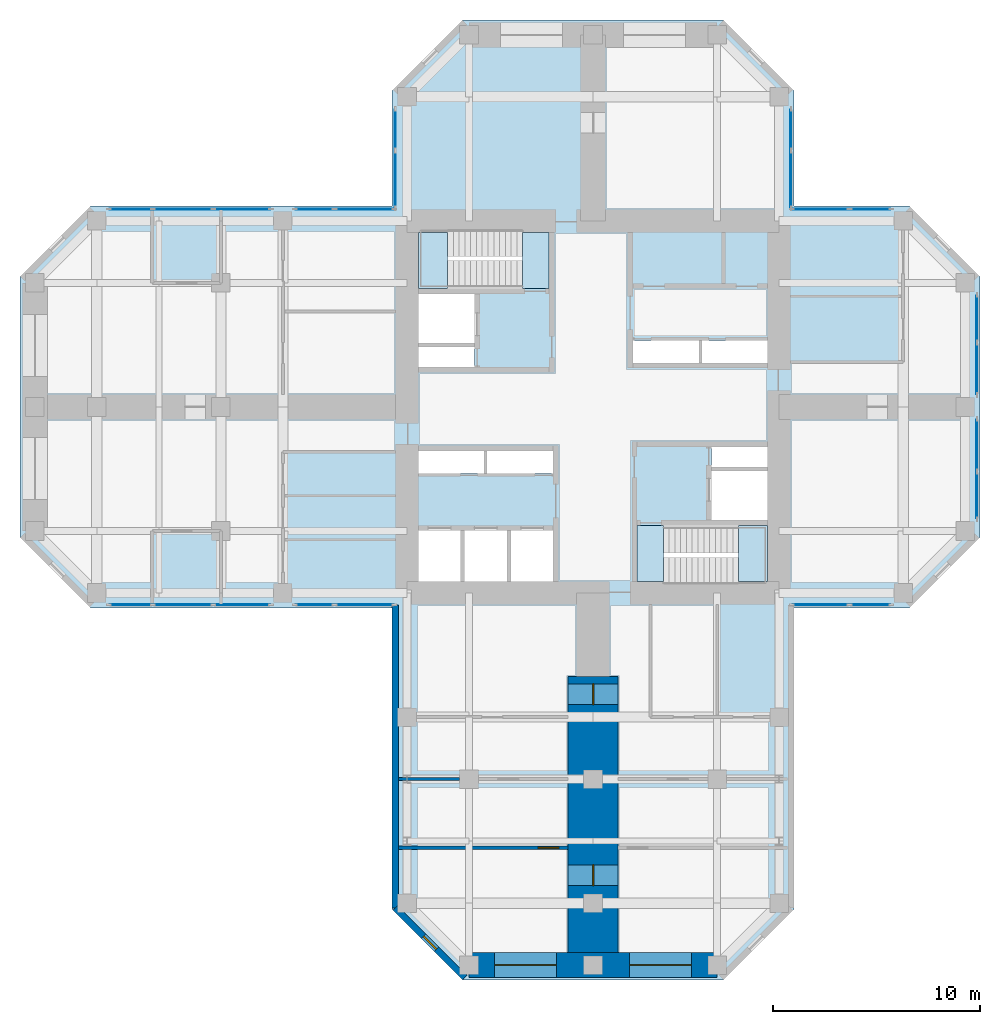
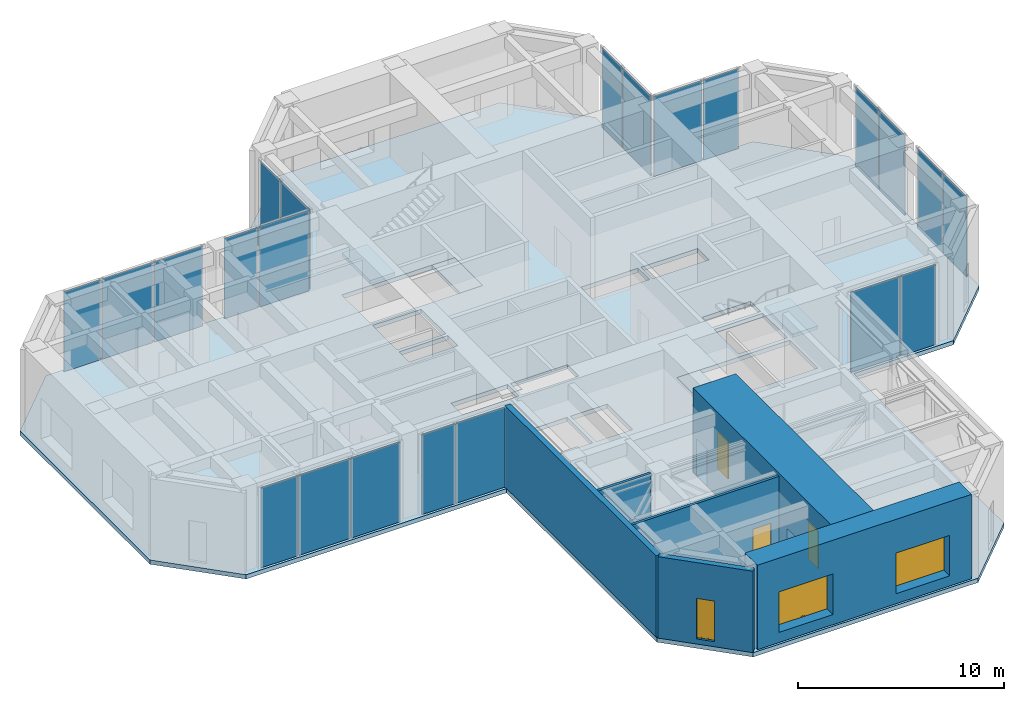
# One storey, part 5 of 10: 22 plates, 6 walls, 5 slabs, 3 doors, 3 windows, 6 openings, 9 elements without a shape of their own.
"""IFC4 building model written with IfcOpenShell, lengths in metres."""

from ifc_helpers import new_model, si_unit, direction, frame, frame_2d, origin, origin_2d, place, context, subcontext, project, spatial, polyline, rectangle, hollow_rectangle, outline, extrude, material, layer, layer_set, constituent, constituent_set, type_object, element, fill, aggregate, save


model = new_model("IFC4")

# Units and contexts
model_context = context("Model", 3, precision=1e-05, world=origin(), true_north=direction((0.0, 1.0)))
body_context = subcontext(model_context, "Body", "Model", "MODEL_VIEW")
ifc_project = project(units=[si_unit("LENGTHUNIT", "METRE"), si_unit("AREAUNIT", "SQUARE_METRE"), si_unit("VOLUMEUNIT", "CUBIC_METRE"), si_unit("PLANEANGLEUNIT", "RADIAN"), si_unit("MASSUNIT", "GRAM", prefix="KILO")], contexts=[model_context])

# Site, building, storey
site_placement = place(None, origin())
site = spatial("IfcSite", under=ifc_project, at=site_placement, CompositionType="ELEMENT")
building_placement = place(site_placement, origin())
building = spatial("IfcBuilding", under=site, at=building_placement, Name="Torre Cruceta", CompositionType="ELEMENT")
storey_placement = place(building_placement, frame((0.0, 0.0, 217.10009765625)))
storey = spatial("IfcBuildingStorey", under=building, at=storey_placement, Name="L55", CompositionType="ELEMENT", Elevation=217.10009765625)

# Curtain wall, plate
ifc_material_1 = material(Name="Aluminium unitised curtain wall", Category="aluminium")
curtain_wall_type = type_object("IfcCurtainWallType", Name="CURTAIN WALL CW-S SKY GARDEN", PredefinedType="USERDEFINED", material=ifc_material_1)
curtain_wall_1_placement = place(storey_placement, origin())
curtain_wall_1 = element("IfcCurtainWall", 1, at=curtain_wall_1_placement, inside=storey, type_object=curtain_wall_type, Name="CW-S L55 E side 00", ObjectType="UNITISED", PredefinedType="USERDEFINED")
ifc_material_2 = material(Name="Laminated insulating glass unit, low-iron clear", Category="glass")
ifc_material_3 = material(Name="Laminated insulating glass unit, low-iron clear", Category="glass")
ifc_layer_1 = layer(ifc_material_3, 0.0400390625)
ifc_layer_set_1 = layer_set([ifc_layer_1], Name="Laminated insulating glass unit, low-iron clear")
plate_type_1 = type_object("IfcPlateType", Name="CW-S OPERABLE VENT PANEL 40", PredefinedType="CURTAIN_PANEL", material=ifc_layer_set_1)
plate_1_placement = place(storey_placement, frame((13.41357421875, -9.570068359375, 0.010009765625), z_axis=(0.0, 0.0, 1.0), x_axis=(1.0, 0.0, 0.0)))
plate_1 = element("IfcPlate", 2, at=plate_1_placement, type_object=plate_type_1, material=ifc_material_2, Name="CW-S vent 2", PredefinedType="CURTAIN_PANEL", context=body_context, shape_type="SweptSolid", body=[
    extrude(rectangle(XDim=1.94091796875, YDim=0.0400390625, at=origin_2d()), origin(), (0.0, 0.0, 1.0), 4.72998046875),
])

curtain_wall_2_placement = place(storey_placement, origin())
curtain_wall_2 = element("IfcCurtainWall", 3, at=curtain_wall_2_placement, inside=storey, type_object=curtain_wall_type, Name="CW-S L55 E tip 02", ObjectType="UNITISED", PredefinedType="USERDEFINED")
plate_2_placement = place(storey_placement, frame((18.570068359375, -1.846923828125, 0.010009765625), z_axis=(0.0, 0.0, 1.0), x_axis=(0.0, 1.0, 0.0)))
plate_2 = element("IfcPlate", 4, at=plate_2_placement, type_object=plate_type_1, material=ifc_material_2, Name="CW-S vent 2", PredefinedType="CURTAIN_PANEL", context=body_context, shape_type="SweptSolid", body=[
    extrude(rectangle(XDim=2.462158203125, YDim=0.0400390625, at=origin_2d()), origin(), (0.0, 0.0, 1.0), 4.72998046875),
])

curtain_wall_3_placement = place(storey_placement, origin())
curtain_wall_3 = element("IfcCurtainWall", 5, at=curtain_wall_3_placement, inside=storey, type_object=curtain_wall_type, Name="CW-S L55 E side 04", ObjectType="UNITISED", PredefinedType="USERDEFINED")
plate_3_placement = place(storey_placement, frame((11.006591796875, 9.570068359375, 0.010009765625), z_axis=(0.0, 0.0, 1.0), x_axis=(-1.0, 0.0, 0.0)))
plate_3 = element("IfcPlate", 6, at=plate_3_placement, type_object=plate_type_1, material=ifc_material_2, Name="CW-S vent 2", PredefinedType="CURTAIN_PANEL", context=body_context, shape_type="SweptSolid", body=[
    extrude(rectangle(XDim=2.713134765625, YDim=0.0400390625, at=origin_2d()), origin(), (0.0, 0.0, 1.0), 4.72998046875),
])

curtain_wall_4_placement = place(storey_placement, origin())
curtain_wall_4 = element("IfcCurtainWall", 7, at=curtain_wall_4_placement, inside=storey, type_object=curtain_wall_type, Name="CW-S L55 N side 05", ObjectType="UNITISED", PredefinedType="USERDEFINED")
plate_4_placement = place(storey_placement, frame((9.570068359375, 13.41357421875, 0.010009765625), z_axis=(0.0, 0.0, 1.0), x_axis=(0.0, 1.0, 0.0)))
plate_4 = element("IfcPlate", 8, at=plate_4_placement, type_object=plate_type_1, material=ifc_material_2, Name="CW-S vent 2", PredefinedType="CURTAIN_PANEL", context=body_context, shape_type="SweptSolid", body=[
    extrude(rectangle(XDim=1.94091796875, YDim=0.0400390625, at=origin_2d()), origin(), (0.0, 0.0, 1.0), 4.72998046875),
])

curtain_wall_5_placement = place(storey_placement, origin())
curtain_wall_5 = element("IfcCurtainWall", 9, at=curtain_wall_5_placement, inside=storey, type_object=curtain_wall_type, Name="CW-S L55 N side 09", ObjectType="UNITISED", PredefinedType="USERDEFINED")
plate_5_placement = place(storey_placement, frame((-9.570068359375, 11.006591796875, 0.010009765625), z_axis=(0.0, 0.0, 1.0), x_axis=(0.0, -1.0, 0.0)))
plate_5 = element("IfcPlate", 10, at=plate_5_placement, type_object=plate_type_1, material=ifc_material_2, Name="CW-S vent 2", PredefinedType="CURTAIN_PANEL", context=body_context, shape_type="SweptSolid", body=[
    extrude(rectangle(XDim=2.713134765625, YDim=0.0400390625, at=origin_2d()), origin(), (0.0, 0.0, 1.0), 4.72998046875),
])

# Curtain wall, plates
curtain_wall_6_placement = place(storey_placement, origin())
curtain_wall_6 = element("IfcCurtainWall", 11, at=curtain_wall_6_placement, inside=storey, type_object=curtain_wall_type, Name="CW-S L55 W side 10", ObjectType="UNITISED", PredefinedType="USERDEFINED")
plate_6_placement = place(storey_placement, frame((-13.463623046875, 9.570068359375, 0.010009765625), z_axis=(0.0, 0.0, 1.0), x_axis=(-1.0, 0.0, 0.0)))
plate_6 = element("IfcPlate", 12, at=plate_6_placement, type_object=plate_type_1, material=ifc_material_2, Name="CW-S vent 2", PredefinedType="CURTAIN_PANEL", context=body_context, shape_type="SweptSolid", body=[
    extrude(rectangle(XDim=1.8408203125, YDim=0.0400390625, at=origin_2d()), origin(), (0.0, 0.0, 1.0), 4.72998046875),
])
plate_7_placement = place(storey_placement, frame((-22.363525390625, 9.570068359375, 0.010009765625), z_axis=(0.0, 0.0, 1.0), x_axis=(-1.0, 0.0, 0.0)))
plate_7 = element("IfcPlate", 13, at=plate_7_placement, type_object=plate_type_1, material=ifc_material_2, Name="CW-S vent 5", PredefinedType="CURTAIN_PANEL", context=body_context, shape_type="SweptSolid", body=[
    extrude(rectangle(XDim=2.041015625, YDim=0.0400390625, at=origin_2d()), origin(), (0.0, 0.0, 1.0), 4.72998046875),
])

curtain_wall_7_placement = place(storey_placement, origin())
curtain_wall_7 = element("IfcCurtainWall", 14, at=curtain_wall_7_placement, inside=storey, type_object=curtain_wall_type, Name="CW-S L55 W side 14", ObjectType="UNITISED", PredefinedType="USERDEFINED")
plate_8_placement = place(storey_placement, frame((-19.836181640625, -9.570068359375, 0.010009765625), z_axis=(0.0, 0.0, 1.0), x_axis=(1.0, 0.0, 0.0)))
plate_8 = element("IfcPlate", 15, at=plate_8_placement, type_object=plate_type_1, material=ifc_material_2, Name="CW-S vent 2", PredefinedType="CURTAIN_PANEL", context=body_context, shape_type="SweptSolid", body=[
    extrude(rectangle(XDim=2.853271484375, YDim=0.0400390625, at=origin_2d()), origin(), (0.0, 0.0, 1.0), 4.72998046875),
])
plate_9_placement = place(storey_placement, frame((-11.056640625, -9.570068359375, 0.010009765625), z_axis=(0.0, 0.0, 1.0), x_axis=(1.0, 0.0, 0.0)))
plate_9 = element("IfcPlate", 16, at=plate_9_placement, type_object=plate_type_1, material=ifc_material_2, Name="CW-S vent 5", PredefinedType="CURTAIN_PANEL", context=body_context, shape_type="SweptSolid", body=[
    extrude(rectangle(XDim=2.813232421875, YDim=0.0400390625, at=origin_2d()), origin(), (0.0, 0.0, 1.0), 4.72998046875),
])

# Plate
ifc_material_4 = material(Name="Laminated insulating glass unit, low-iron clear", Category="glass")
ifc_layer_2 = layer(ifc_material_4, 0.0400390625)
ifc_layer_set_2 = layer_set([ifc_layer_2], Name="Laminated insulating glass unit, low-iron clear")
plate_type_2 = type_object("IfcPlateType", Name="CW-S PANEL 40 CLEAR GLASS", PredefinedType="CURTAIN_PANEL", material=ifc_layer_set_2)
plate_10_placement = place(storey_placement, frame((11.006591796875, -9.570068359375, 0.010009765625), z_axis=(0.0, 0.0, 1.0), x_axis=(1.0, 0.0, 0.0)))
plate_10 = element("IfcPlate", 17, at=plate_10_placement, type_object=plate_type_2, material=ifc_material_2, Name="CW-S panel 1", PredefinedType="CURTAIN_PANEL", context=body_context, shape_type="SweptSolid", body=[
    extrude(rectangle(XDim=2.713134765625, YDim=0.0400390625, at=origin_2d()), origin(), (0.0, 0.0, 1.0), 4.72998046875),
])

aggregate(curtain_wall_1, [plate_10, plate_1])

plate_11_placement = place(storey_placement, frame((18.570068359375, -4.27099609375, 0.010009765625), z_axis=(0.0, 0.0, 1.0), x_axis=(0.0, 1.0, 0.0)))
plate_11 = element("IfcPlate", 18, at=plate_11_placement, type_object=plate_type_2, material=ifc_material_2, Name="CW-S panel 1", PredefinedType="CURTAIN_PANEL", context=body_context, shape_type="SweptSolid", body=[
    extrude(rectangle(XDim=2.225830078125, YDim=0.0400390625, at=origin_2d()), origin(), (0.0, 0.0, 1.0), 4.72998046875),
])

plate_12_placement = place(storey_placement, frame((18.570068359375, 1.846923828125, 0.010009765625), z_axis=(0.0, 0.0, 1.0), x_axis=(0.0, 1.0, 0.0)))
plate_12 = element("IfcPlate", 19, at=plate_12_placement, type_object=plate_type_2, material=ifc_material_2, Name="CW-S panel 3", PredefinedType="CURTAIN_PANEL", context=body_context, shape_type="SweptSolid", body=[
    extrude(rectangle(XDim=2.462158203125, YDim=0.0400390625, at=origin_2d()), origin(), (0.0, 0.0, 1.0), 4.72998046875),
])

plate_13_placement = place(storey_placement, frame((18.570068359375, 4.27099609375, 0.010009765625), z_axis=(0.0, 0.0, 1.0), x_axis=(0.0, 1.0, 0.0)))
plate_13 = element("IfcPlate", 20, at=plate_13_placement, type_object=plate_type_2, material=ifc_material_2, Name="CW-S panel 4", PredefinedType="CURTAIN_PANEL", context=body_context, shape_type="SweptSolid", body=[
    extrude(rectangle(XDim=2.225830078125, YDim=0.0400390625, at=origin_2d()), origin(), (0.0, 0.0, 1.0), 4.72998046875),
])

aggregate(curtain_wall_2, [plate_11, plate_2, plate_12, plate_13])

plate_14_placement = place(storey_placement, frame((13.41357421875, 9.570068359375, 0.010009765625), z_axis=(0.0, 0.0, 1.0), x_axis=(-1.0, 0.0, 0.0)))
plate_14 = element("IfcPlate", 21, at=plate_14_placement, type_object=plate_type_2, material=ifc_material_2, Name="CW-S panel 1", PredefinedType="CURTAIN_PANEL", context=body_context, shape_type="SweptSolid", body=[
    extrude(rectangle(XDim=1.94091796875, YDim=0.0400390625, at=origin_2d()), origin(), (0.0, 0.0, 1.0), 4.72998046875),
])

aggregate(curtain_wall_3, [plate_14, plate_3])

plate_15_placement = place(storey_placement, frame((9.570068359375, 11.006591796875, 0.010009765625), z_axis=(0.0, 0.0, 1.0), x_axis=(0.0, 1.0, 0.0)))
plate_15 = element("IfcPlate", 22, at=plate_15_placement, type_object=plate_type_2, material=ifc_material_2, Name="CW-S panel 1", PredefinedType="CURTAIN_PANEL", context=body_context, shape_type="SweptSolid", body=[
    extrude(rectangle(XDim=2.713134765625, YDim=0.0400390625, at=origin_2d()), origin(), (0.0, 0.0, 1.0), 4.72998046875),
])

aggregate(curtain_wall_4, [plate_15, plate_4])

plate_16_placement = place(storey_placement, frame((-9.570068359375, 13.41357421875, 0.010009765625), z_axis=(0.0, 0.0, 1.0), x_axis=(0.0, -1.0, 0.0)))
plate_16 = element("IfcPlate", 23, at=plate_16_placement, type_object=plate_type_2, material=ifc_material_2, Name="CW-S panel 1", PredefinedType="CURTAIN_PANEL", context=body_context, shape_type="SweptSolid", body=[
    extrude(rectangle(XDim=1.94091796875, YDim=0.0400390625, at=origin_2d()), origin(), (0.0, 0.0, 1.0), 4.72998046875),
])

aggregate(curtain_wall_5, [plate_16, plate_5])

plate_17_placement = place(storey_placement, frame((-11.056640625, 9.570068359375, 0.010009765625), z_axis=(0.0, 0.0, 1.0), x_axis=(-1.0, 0.0, 0.0)))
plate_17 = element("IfcPlate", 24, at=plate_17_placement, type_object=plate_type_2, material=ifc_material_2, Name="CW-S panel 1", PredefinedType="CURTAIN_PANEL", context=body_context, shape_type="SweptSolid", body=[
    extrude(rectangle(XDim=2.813232421875, YDim=0.0400390625, at=origin_2d()), origin(), (0.0, 0.0, 1.0), 4.72998046875),
])

plate_18_placement = place(storey_placement, frame((-16.972900390625, 9.570068359375, 0.010009765625), z_axis=(0.0, 0.0, 1.0), x_axis=(-1.0, 0.0, 0.0)))
plate_18 = element("IfcPlate", 25, at=plate_18_placement, type_object=plate_type_2, material=ifc_material_2, Name="CW-S panel 3", PredefinedType="CURTAIN_PANEL", context=body_context, shape_type="SweptSolid", body=[
    extrude(rectangle(XDim=2.713623046875, YDim=0.0400390625, at=origin_2d()), origin(), (0.0, 0.0, 1.0), 4.72998046875),
])

plate_19_placement = place(storey_placement, frame((-19.836181640625, 9.570068359375, 0.010009765625), z_axis=(0.0, 0.0, 1.0), x_axis=(-1.0, 0.0, 0.0)))
plate_19 = element("IfcPlate", 26, at=plate_19_placement, type_object=plate_type_2, material=ifc_material_2, Name="CW-S panel 4", PredefinedType="CURTAIN_PANEL", context=body_context, shape_type="SweptSolid", body=[
    extrude(rectangle(XDim=2.853271484375, YDim=0.0400390625, at=origin_2d()), origin(), (0.0, 0.0, 1.0), 4.72998046875),
])

aggregate(curtain_wall_6, [plate_17, plate_6, plate_18, plate_19, plate_7])

plate_20_placement = place(storey_placement, frame((-22.363525390625, -9.570068359375, 0.010009765625), z_axis=(0.0, 0.0, 1.0), x_axis=(1.0, 0.0, 0.0)))
plate_20 = element("IfcPlate", 27, at=plate_20_placement, type_object=plate_type_2, material=ifc_material_2, Name="CW-S panel 1", PredefinedType="CURTAIN_PANEL", context=body_context, shape_type="SweptSolid", body=[
    extrude(rectangle(XDim=2.041015625, YDim=0.0400390625, at=origin_2d()), origin(), (0.0, 0.0, 1.0), 4.72998046875),
])

plate_21_placement = place(storey_placement, frame((-16.972900390625, -9.570068359375, 0.010009765625), z_axis=(0.0, 0.0, 1.0), x_axis=(1.0, 0.0, 0.0)))
plate_21 = element("IfcPlate", 28, at=plate_21_placement, type_object=plate_type_2, material=ifc_material_2, Name="CW-S panel 3", PredefinedType="CURTAIN_PANEL", context=body_context, shape_type="SweptSolid", body=[
    extrude(rectangle(XDim=2.713623046875, YDim=0.0400390625, at=origin_2d()), origin(), (0.0, 0.0, 1.0), 4.72998046875),
])

plate_22_placement = place(storey_placement, frame((-13.463623046875, -9.570068359375, 0.010009765625), z_axis=(0.0, 0.0, 1.0), x_axis=(1.0, 0.0, 0.0)))
plate_22 = element("IfcPlate", 29, at=plate_22_placement, type_object=plate_type_2, material=ifc_material_2, Name="CW-S panel 4", PredefinedType="CURTAIN_PANEL", context=body_context, shape_type="SweptSolid", body=[
    extrude(rectangle(XDim=1.8408203125, YDim=0.0400390625, at=origin_2d()), origin(), (0.0, 0.0, 1.0), 4.72998046875),
])

aggregate(curtain_wall_7, [plate_20, plate_8, plate_21, plate_22, plate_9])

# Slab
ifc_material_5 = material(Name="Concrete G35 (fck 35 MPa)", Category="concrete")
ifc_layer_3 = layer(ifc_material_5, 0.25)
ifc_layer_set_3 = layer_set([ifc_layer_3], Name="Concrete G35 (fck 35 MPa)")
slab_type_1 = type_object("IfcSlabType", Name="FLOOR SLAB 250", PredefinedType="FLOOR", material=ifc_layer_set_3)
slab_1_placement = place(storey_placement, frame((0.0, 0.0, -0.25)))
element("IfcSlab", 30, at=slab_1_placement, inside=storey, type_object=slab_type_1, Name="Floor Slab L55", PredefinedType="FLOOR", context=body_context, shape_type="SweptSolid", body=[
    extrude(outline(polyline([(9.719970703125, -9.719970703125), (9.719970703125, -24.29833984375), (6.29833984375, -27.719970703125), (-6.29833984375, -27.719970703125), (-9.719970703125, -24.29833984375), (-9.719970703125, -9.719970703125), (-24.29833984375, -9.719970703125), (-27.719970703125, -6.29833984375), (-27.719970703125, 6.29833984375), (-24.29833984375, 9.719970703125), (-9.719970703125, 9.719970703125), (-9.719970703125, 15.29833984375), (-6.29833984375, 18.719970703125), (6.29833984375, 18.719970703125), (9.719970703125, 15.29833984375), (9.719970703125, 9.719970703125), (15.29833984375, 9.719970703125), (18.719970703125, 6.29833984375), (18.719970703125, -6.29833984375), (15.29833984375, -9.719970703125), (9.719970703125, -9.719970703125)]), holes=[polyline([(1.925048828125, 2.125), (5.125, 2.125), (5.125, 3.22509765625), (1.925048828125, 3.22509765625), (1.925048828125, 2.125)]), polyline([(5.27490234375, 2.125), (8.449951171875, 2.125), (8.449951171875, 3.22509765625), (5.27490234375, 3.22509765625), (5.27490234375, 2.125)]), polyline([(-8.449951171875, 3.10009765625), (-5.72509765625, 3.10009765625), (-5.72509765625, 5.47509765625), (-8.449951171875, 5.47509765625), (-8.449951171875, 3.10009765625)]), polyline([(-8.449951171875, 1.925048828125), (-5.72509765625, 1.925048828125), (-5.72509765625, 2.89990234375), (-8.449951171875, 2.89990234375), (-8.449951171875, 1.925048828125)]), polyline([(-3.966552734375, -8.449951171875), (-1.925048828125, -8.449951171875), (-1.925048828125, -5.97509765625), (-3.966552734375, -5.97509765625), (-3.966552734375, -8.449951171875)]), polyline([(-6.208251953125, -8.449951171875), (-4.166748046875, -8.449951171875), (-4.166748046875, -5.97509765625), (-6.208251953125, -5.97509765625), (-6.208251953125, -8.449951171875)]), polyline([(-8.449951171875, -8.449951171875), (-6.408447265625, -8.449951171875), (-6.408447265625, -5.97509765625), (-8.449951171875, -5.97509765625), (-8.449951171875, -8.449951171875)]), polyline([(-5.125, -3.22509765625), (-1.925048828125, -3.22509765625), (-1.925048828125, -2.125), (-5.125, -2.125), (-5.125, -3.22509765625)]), polyline([(-8.449951171875, -3.22509765625), (-5.27490234375, -3.22509765625), (-5.27490234375, -2.125), (-8.449951171875, -2.125), (-8.449951171875, -3.22509765625)]), polyline([(5.72509765625, -5.47509765625), (8.449951171875, -5.47509765625), (8.449951171875, -3.10009765625), (5.72509765625, -3.10009765625), (5.72509765625, -5.47509765625)]), polyline([(5.72509765625, -2.89990234375), (8.449951171875, -2.89990234375), (8.449951171875, -1.925048828125), (5.72509765625, -1.925048828125), (5.72509765625, -2.89990234375)]), polyline([(-8.449951171875, 5.72509765625), (-8.449951171875, 8.449951171875), (-3.39990234375, 8.449951171875), (-2.125, 8.449951171875), (-2.125, 5.72509765625), (-3.39990234375, 5.72509765625), (-8.449951171875, 5.72509765625)]), polyline([(2.125, -5.72509765625), (3.39990234375, -5.72509765625), (8.449951171875, -5.72509765625), (8.449951171875, -8.449951171875), (3.39990234375, -8.449951171875), (2.125, -8.449951171875), (2.125, -5.72509765625)])]), origin(), (0.0, 0.0, 1.0), 0.25),
])

# Stair, slab
ifc_material_6 = material(Name="Concrete G30 (fck 30 MPa)", Category="concrete")
stair_type = type_object("IfcStairType", Name="STAIR HALF-TURN 1300", PredefinedType="HALF_TURN_STAIR", material=ifc_material_6)
stair_1_placement = place(storey_placement, origin())
stair_1 = element("IfcStair", 31, at=stair_1_placement, inside=storey, type_object=stair_type, Name="Stair ST1 L55", PredefinedType="HALF_TURN_STAIR")
ifc_material_7 = material(Name="Concrete G30 (fck 30 MPa)", Category="concrete")
ifc_layer_4 = layer(ifc_material_7, 0.199951171875)
ifc_layer_set_4 = layer_set([ifc_layer_4], Name="Concrete G30 (fck 30 MPa)")
slab_type_2 = type_object("IfcSlabType", Name="STAIR LANDING 200", PredefinedType="LANDING", material=ifc_layer_set_4)
slab_2_placement = place(storey_placement, frame((0.0, 0.0, 2.2998046875)))
slab_2 = element("IfcSlab", 32, at=slab_2_placement, type_object=slab_type_2, Name="ST1 landing 1", PredefinedType="LANDING", context=body_context, shape_type="SweptSolid", body=[
    extrude(outline(polyline([(-8.449951171875, 5.72509765625), (-7.0400390625, 5.72509765625), (-7.0400390625, 8.449951171875), (-8.449951171875, 8.449951171875), (-8.449951171875, 5.72509765625)])), origin(), (0.0, 0.0, 1.0), 0.2001953125),
])
aggregate(stair_1, [slab_2])

stair_2_placement = place(storey_placement, origin())
stair_2 = element("IfcStair", 33, at=stair_2_placement, inside=storey, type_object=stair_type, Name="Stair ST2 L55", PredefinedType="HALF_TURN_STAIR")
slab_3_placement = place(storey_placement, frame((0.0, 0.0, 2.2998046875)))
slab_3 = element("IfcSlab", 34, at=slab_3_placement, type_object=slab_type_2, Name="ST2 landing 1", PredefinedType="LANDING", context=body_context, shape_type="SweptSolid", body=[
    extrude(outline(polyline([(7.0400390625, -8.449951171875), (8.449951171875, -8.449951171875), (8.449951171875, -5.72509765625), (7.0400390625, -5.72509765625), (7.0400390625, -8.449951171875)])), origin(), (0.0, 0.0, 1.0), 0.2001953125),
])
aggregate(stair_2, [slab_3])

# Slabs
slab_4_placement = place(storey_placement, frame((0.0, 0.0, -0.2001953125)))
element("IfcSlab", 35, at=slab_4_placement, inside=storey, type_object=slab_type_2, Name="Stair ST1 floor landing L55", PredefinedType="LANDING", context=body_context, shape_type="SweptSolid", body=[
    extrude(outline(polyline([(-2.125, 8.449951171875), (-2.125, 5.72509765625), (-3.39990234375, 5.72509765625), (-3.39990234375, 8.449951171875), (-2.125, 8.449951171875)])), origin(), (0.0, 0.0, 1.0), 0.2001953125),
])
slab_5_placement = place(storey_placement, frame((0.0, 0.0, -0.2001953125)))
element("IfcSlab", 36, at=slab_5_placement, inside=storey, type_object=slab_type_2, Name="Stair ST2 floor landing L55", PredefinedType="LANDING", context=body_context, shape_type="SweptSolid", body=[
    extrude(outline(polyline([(2.125, -8.449951171875), (2.125, -5.72509765625), (3.39990234375, -5.72509765625), (3.39990234375, -8.449951171875), (2.125, -8.449951171875)])), origin(), (0.0, 0.0, 1.0), 0.2001953125),
])

# Wall
ifc_material_8 = material(Name="Concrete G30 (fck 30 MPa)", Category="concrete")
ifc_layer_5 = layer(ifc_material_8, 0.300048828125)
ifc_layer_set_5 = layer_set([ifc_layer_5], Name="Concrete G30 (fck 30 MPa)")
wall_type_1 = type_object("IfcWallType", Name="EXPOSED CONCRETE FACADE WALL 300", PredefinedType="SOLIDWALL", material=ifc_layer_set_5)
wall_1_placement = place(storey_placement, frame((-9.570068359375, -9.570068359375, 0.0), z_axis=(0.0, 0.0, 1.0), x_axis=(0.0, -1.0, 0.0)))
element("IfcWall", 37, at=wall_1_placement, inside=storey, type_object=wall_type_1, Name="EW1 facade wall L55 S side 15", PredefinedType="SOLIDWALL", context=body_context, shape_type="SweptSolid", body=[
    extrude(rectangle(XDim=14.666015625, YDim=0.300048828125, at=frame_2d((7.3330078125, 0.0))), origin(), (0.0, 0.0, 1.0), 4.81982421875),
])

# Wall, opening, window
wall_2_placement = place(storey_placement, frame((-9.570068359375, -24.236083984375, 0.0), z_axis=(0.0, 0.0, 1.0), x_axis=(0.707106781187, -0.707106781187, 0.0)))
wall_2 = element("IfcWall", 38, at=wall_2_placement, inside=storey, type_object=wall_type_1, Name="EW1 facade wall L55 S chamfer 16", PredefinedType="SOLIDWALL", context=body_context, shape_type="SweptSolid", body=[
    extrude(rectangle(XDim=4.75732421875, YDim=0.300048828125, at=frame_2d((2.378662109375, 0.0))), origin(), (0.0, 0.0, 1.0), 4.81982421875),
])
opening_1_placement = place(wall_2_placement, frame((1.9287109375, 0.0, 0.300048828125)))
opening_1 = element("IfcOpeningElement", 39, at=opening_1_placement, cuts=wall_2, Name="Opening WN5", PredefinedType="OPENING", context=body_context, shape_type="SweptSolid", body=[
    extrude(rectangle(XDim=0.89990234375, YDim=2.39990234375, at=frame_2d((0.449951171875, 1.199951171875))), frame((0.0, 0.159912109375, 0.0), z_axis=(0.0, -1.0, 0.0), x_axis=(1.0, 0.0, 0.0)), (0.0, 0.0, 1.0), 0.320068359375),
])
ifc_material_9 = material(Name="Aluminium window frame", Category="aluminium")
ifc_constituent_1 = constituent(ifc_material_9, Name="Frame")
ifc_material_10 = material(Name="Laminated insulating glass unit, low-iron clear", Category="glass")
ifc_constituent_2 = constituent(ifc_material_10, Name="Glazing")
ifc_constituent_set_1 = constituent_set(constituents=[ifc_constituent_1, ifc_constituent_2], Name="Aluminium window")
window_type_1 = type_object("IfcWindowType", Name="CHAMFER SLOT WINDOW 900X2400", PartitioningType="SINGLE_PANEL", PredefinedType="WINDOW", material=ifc_constituent_set_1)
window_1_placement = place(opening_1_placement, origin())
window_1 = element("IfcWindow", 40, at=window_1_placement, inside=storey, type_object=window_type_1, Name="WN5 L55 S 1", OverallHeight=2.39990234375, OverallWidth=0.89990234375, PartitioningType="SINGLE_PANEL", PredefinedType="WINDOW", context=body_context, shape_type="SweptSolid", body=[
    extrude(hollow_rectangle(XDim=0.89990234375, YDim=2.39990234375, WallThickness=0.06005859375, at=frame_2d((0.449951171875, 1.199951171875))), frame((0.0, 0.030029296875, 0.0), z_axis=(0.0, -1.0, 0.0), x_axis=(1.0, 0.0, 0.0)), (0.0, 0.0, 1.0), 0.06005859375),
    extrude(rectangle(XDim=0.77880859375, YDim=2.27880859375, at=frame_2d((0.449951171875, 1.199951171875))), frame((0.0, 0.030029296875, 0.0), z_axis=(0.0, -1.0, 0.0), x_axis=(1.0, 0.0, 0.0)), (0.0, 0.0, 1.0), 0.06005859375),
])
fill(opening_1, window_1)

# Wall, openings, windows
ifc_material_11 = material(Name="Concrete G60 (fck 60 MPa)", Category="concrete")
ifc_layer_6 = layer(ifc_material_11, 1.199951171875)
ifc_layer_set_6 = layer_set([ifc_layer_6], Name="Concrete G60 (fck 60 MPa)")
wall_type_2 = type_object("IfcWallType", Name="NOSE WALL 1200 G60", PredefinedType="SHEAR", material=ifc_layer_set_6)
wall_3_placement = place(storey_placement, frame((-6.0, -27.0, 0.0), z_axis=(0.0, 0.0, 1.0), x_axis=(1.0, 0.0, 0.0)))
wall_3 = element("IfcWall", 41, at=wall_3_placement, inside=storey, type_object=wall_type_2, Name="NW1 nose wall L55 S", PredefinedType="SHEAR", context=body_context, shape_type="SweptSolid", body=[
    extrude(rectangle(XDim=12.0, YDim=1.199951171875, at=frame_2d((6.0, 0.0))), origin(), (0.0, 0.0, 1.0), 5.0),
])
opening_2_placement = place(wall_3_placement, frame((1.22509765625, 0.0, 0.60009765625)))
opening_2 = element("IfcOpeningElement", 42, at=opening_2_placement, cuts=wall_3, Name="Opening WN6", PredefinedType="OPENING", context=body_context, shape_type="SweptSolid", body=[
    extrude(rectangle(XDim=3.0, YDim=2.39990234375, at=frame_2d((1.5, 1.199951171875))), frame((0.0, 0.60986328125, 0.0), z_axis=(0.0, -1.0, 0.0), x_axis=(1.0, 0.0, 0.0)), (0.0, 0.0, 1.0), 1.219970703125),
])
opening_3_placement = place(wall_3_placement, frame((7.77490234375, 0.0, 0.60009765625)))
opening_3 = element("IfcOpeningElement", 43, at=opening_3_placement, cuts=wall_3, Name="Opening WN6", PredefinedType="OPENING", context=body_context, shape_type="SweptSolid", body=[
    extrude(rectangle(XDim=3.0, YDim=2.39990234375, at=frame_2d((1.5, 1.199951171875))), frame((0.0, 0.60986328125, 0.0), z_axis=(0.0, -1.0, 0.0), x_axis=(1.0, 0.0, 0.0)), (0.0, 0.0, 1.0), 1.219970703125),
])
ifc_material_12 = material(Name="Aluminium window frame", Category="aluminium")
ifc_constituent_3 = constituent(ifc_material_12, Name="Frame")
ifc_material_13 = material(Name="Laminated insulating glass unit, low-iron clear", Category="glass")
ifc_constituent_4 = constituent(ifc_material_13, Name="Glazing")
ifc_constituent_set_2 = constituent_set(constituents=[ifc_constituent_3, ifc_constituent_4], Name="Aluminium window")
window_type_2 = type_object("IfcWindowType", Name="NOSE WALL WINDOW 3000X2400", PartitioningType="SINGLE_PANEL", PredefinedType="WINDOW", material=ifc_constituent_set_2)
window_2_placement = place(opening_2_placement, origin())
window_2 = element("IfcWindow", 44, at=window_2_placement, inside=storey, type_object=window_type_2, Name="WN6 L55 S 1", OverallHeight=2.39990234375, OverallWidth=3.0, PartitioningType="SINGLE_PANEL", PredefinedType="WINDOW", context=body_context, shape_type="SweptSolid", body=[
    extrude(hollow_rectangle(XDim=3.0, YDim=2.39990234375, WallThickness=0.06005859375, at=frame_2d((1.5, 1.199951171875))), frame((0.0, 0.030029296875, 0.0), z_axis=(0.0, -1.0, 0.0), x_axis=(1.0, 0.0, 0.0)), (0.0, 0.0, 1.0), 0.06005859375),
    extrude(rectangle(XDim=2.87890625, YDim=2.27880859375, at=frame_2d((1.5, 1.199951171875))), frame((0.0, 0.030029296875, 0.0), z_axis=(0.0, -1.0, 0.0), x_axis=(1.0, 0.0, 0.0)), (0.0, 0.0, 1.0), 0.06005859375),
])
fill(opening_2, window_2)
window_3_placement = place(opening_3_placement, origin())
window_3 = element("IfcWindow", 45, at=window_3_placement, inside=storey, type_object=window_type_2, Name="WN6 L55 S 2", OverallHeight=2.39990234375, OverallWidth=3.0, PartitioningType="SINGLE_PANEL", PredefinedType="WINDOW", context=body_context, shape_type="SweptSolid", body=[
    extrude(hollow_rectangle(XDim=3.0, YDim=2.39990234375, WallThickness=0.06005859375, at=frame_2d((1.5, 1.199951171875))), frame((0.0, 0.030029296875, 0.0), z_axis=(0.0, -1.0, 0.0), x_axis=(1.0, 0.0, 0.0)), (0.0, 0.0, 1.0), 0.06005859375),
    extrude(rectangle(XDim=2.87890625, YDim=2.27880859375, at=frame_2d((1.5, 1.199951171875))), frame((0.0, 0.030029296875, 0.0), z_axis=(0.0, -1.0, 0.0), x_axis=(1.0, 0.0, 0.0)), (0.0, 0.0, 1.0), 0.06005859375),
])
fill(opening_3, window_3)

# Wall, opening, door
ifc_material_14 = material(Name="Plasterboard on steel studs", Category="steel")
ifc_layer_7 = layer(ifc_material_14, 0.14990234375)
ifc_layer_set_7 = layer_set([ifc_layer_7], Name="Plasterboard on steel studs")
wall_type_3 = type_object("IfcWallType", Name="PARTITION 150", PredefinedType="PARTITIONING", material=ifc_layer_set_7)
wall_4_placement = place(storey_placement, frame((-9.419921875, -21.320068359375, 0.0), z_axis=(0.0, 0.0, 1.0), x_axis=(1.0, 0.0, 0.0)))
wall_4 = element("IfcWall", 46, at=wall_4_placement, inside=storey, type_object=wall_type_3, Name="PT1 L55-S-TWR", PredefinedType="PARTITIONING", context=body_context, shape_type="SweptSolid", body=[
    extrude(rectangle(XDim=8.219970703125, YDim=0.14990234375, at=frame_2d((4.10986328125, 0.0))), origin(), (0.0, 0.0, 1.0), 4.81982421875),
])
opening_4_placement = place(wall_4_placement, frame((6.77001953125, 0.0, 0.0)))
opening_4 = element("IfcOpeningElement", 47, at=opening_4_placement, cuts=wall_4, Name="Opening D14", PredefinedType="OPENING", context=body_context, shape_type="SweptSolid", body=[
    extrude(rectangle(XDim=1.0, YDim=2.199951171875, at=frame_2d((0.5, 1.10009765625))), frame((0.0, 0.0849609375, 0.0), z_axis=(0.0, -1.0, 0.0), x_axis=(1.0, 0.0, 0.0)), (0.0, 0.0, 1.0), 0.169921875),
])
ifc_material_15 = material(Name="Steel DX51D", Category="steel")
ifc_constituent_5 = constituent(ifc_material_15, Name="Leaf and frame")
ifc_material_16 = material(Name="Polyester powder coating", Category="paint")
ifc_constituent_6 = constituent(ifc_material_16, Name="Finish")
ifc_material_17 = material(Name="Fire-resisting glass", Category="glass")
ifc_constituent_7 = constituent(ifc_material_17, Name="Vision panel")
ifc_constituent_set_3 = constituent_set(constituents=[ifc_constituent_5, ifc_constituent_6, ifc_constituent_7], Name="Steel fire door with vision panel")
door_type = type_object("IfcDoorType", Name="FIRE DOOR VISION PANEL 1000X2200", OperationType="SINGLE_SWING_RIGHT", PredefinedType="DOOR", material=ifc_constituent_set_3)
door_1_placement = place(opening_4_placement, origin())
door_1 = element("IfcDoor", 48, at=door_1_placement, inside=storey, type_object=door_type, Name="D14 L55-S-TWR-D1", OperationType="SINGLE_SWING_RIGHT", OverallHeight=2.199951171875, OverallWidth=1.0, PredefinedType="DOOR", context=body_context, shape_type="SweptSolid", body=[
    extrude(rectangle(XDim=1.0, YDim=2.199951171875, at=frame_2d((0.5, 1.10009765625))), frame((0.0, 0.02490234375, 0.0), z_axis=(0.0, -1.0, 0.0), x_axis=(1.0, 0.0, 0.0)), (0.0, 0.0, 1.0), 0.050048828125),
])
fill(opening_4, door_1)

# Wall
wall_5_placement = place(storey_placement, frame((-9.419921875, -18.0, 0.0), z_axis=(0.0, 0.0, 1.0), x_axis=(1.0, 0.0, 0.0)))
element("IfcWall", 49, at=wall_5_placement, inside=storey, type_object=wall_type_3, Name="PT1 L55-S-BXR2", PredefinedType="PARTITIONING", context=body_context, shape_type="SweptSolid", body=[
    extrude(rectangle(XDim=2.969970703125, YDim=0.14990234375, at=frame_2d((1.48486328125, 0.0))), origin(), (0.0, 0.0, 1.0), 4.81982421875),
])

# Wall, openings, doors
ifc_material_18 = material(Name="Concrete G60 (fck 60 MPa)", Category="concrete")
ifc_layer_8 = layer(ifc_material_18, 2.39990234375)
ifc_layer_set_8 = layer_set([ifc_layer_8], Name="Concrete G60 (fck 60 MPa)")
wall_type_4 = type_object("IfcWallType", Name="SPINE WALL 2400 G60", PredefinedType="SHEAR", material=ifc_layer_set_8)
wall_6_placement = place(storey_placement, frame((0.0, -13.050048828125, 0.0), z_axis=(0.0, 0.0, 1.0), x_axis=(0.0, -1.0, 0.0)))
wall_6 = element("IfcWall", 50, at=wall_6_placement, inside=storey, type_object=wall_type_4, Name="SW0 spine wall L55 S", PredefinedType="SHEAR", context=body_context, shape_type="SweptSolid", body=[
    extrude(rectangle(XDim=13.949951171875, YDim=2.39990234375, at=frame_2d((6.97509765625, 0.0))), origin(), (0.0, 0.0, 1.0), 5.0),
])
opening_5_placement = place(wall_6_placement, frame((0.35009765625, 0.0, 0.0)))
opening_5 = element("IfcOpeningElement", 51, at=opening_5_placement, cuts=wall_6, Name="Opening D14", PredefinedType="OPENING", context=body_context, shape_type="SweptSolid", body=[
    extrude(rectangle(XDim=1.0, YDim=2.199951171875, at=frame_2d((0.5, 1.10009765625))), frame((0.0, 1.2099609375, 0.0), z_axis=(0.0, -1.0, 0.0), x_axis=(1.0, 0.0, 0.0)), (0.0, 0.0, 1.0), 2.419921875),
])
opening_6_placement = place(wall_6_placement, frame((9.10009765625, 0.0, 0.0)))
opening_6 = element("IfcOpeningElement", 52, at=opening_6_placement, cuts=wall_6, Name="Opening D14", PredefinedType="OPENING", context=body_context, shape_type="SweptSolid", body=[
    extrude(rectangle(XDim=1.0, YDim=2.199951171875, at=frame_2d((0.5, 1.10009765625))), frame((0.0, 1.2099609375, 0.0), z_axis=(0.0, -1.0, 0.0), x_axis=(1.0, 0.0, 0.0)), (0.0, 0.0, 1.0), 2.419921875),
])
door_2_placement = place(opening_5_placement, origin())
door_2 = element("IfcDoor", 53, at=door_2_placement, inside=storey, type_object=door_type, Name="D14 L55-S-SP1", OperationType="SINGLE_SWING_RIGHT", OverallHeight=2.199951171875, OverallWidth=1.0, PredefinedType="DOOR", context=body_context, shape_type="SweptSolid", body=[
    extrude(rectangle(XDim=1.0, YDim=2.199951171875, at=frame_2d((0.5, 1.10009765625))), frame((0.0, 0.02490234375, 0.0), z_axis=(0.0, -1.0, 0.0), x_axis=(1.0, 0.0, 0.0)), (0.0, 0.0, 1.0), 0.050048828125),
])
fill(opening_5, door_2)
door_3_placement = place(opening_6_placement, origin())
door_3 = element("IfcDoor", 54, at=door_3_placement, inside=storey, type_object=door_type, Name="D14 L55-S-SP2", OperationType="SINGLE_SWING_LEFT", OverallHeight=2.199951171875, OverallWidth=1.0, PredefinedType="DOOR", context=body_context, shape_type="SweptSolid", body=[
    extrude(rectangle(XDim=1.0, YDim=2.199951171875, at=frame_2d((0.5, 1.10009765625))), frame((0.0, 0.02490234375, 0.0), z_axis=(0.0, -1.0, 0.0), x_axis=(1.0, 0.0, 0.0)), (0.0, 0.0, 1.0), 0.050048828125),
])
fill(opening_6, door_3)

save(model, "model.ifc")
